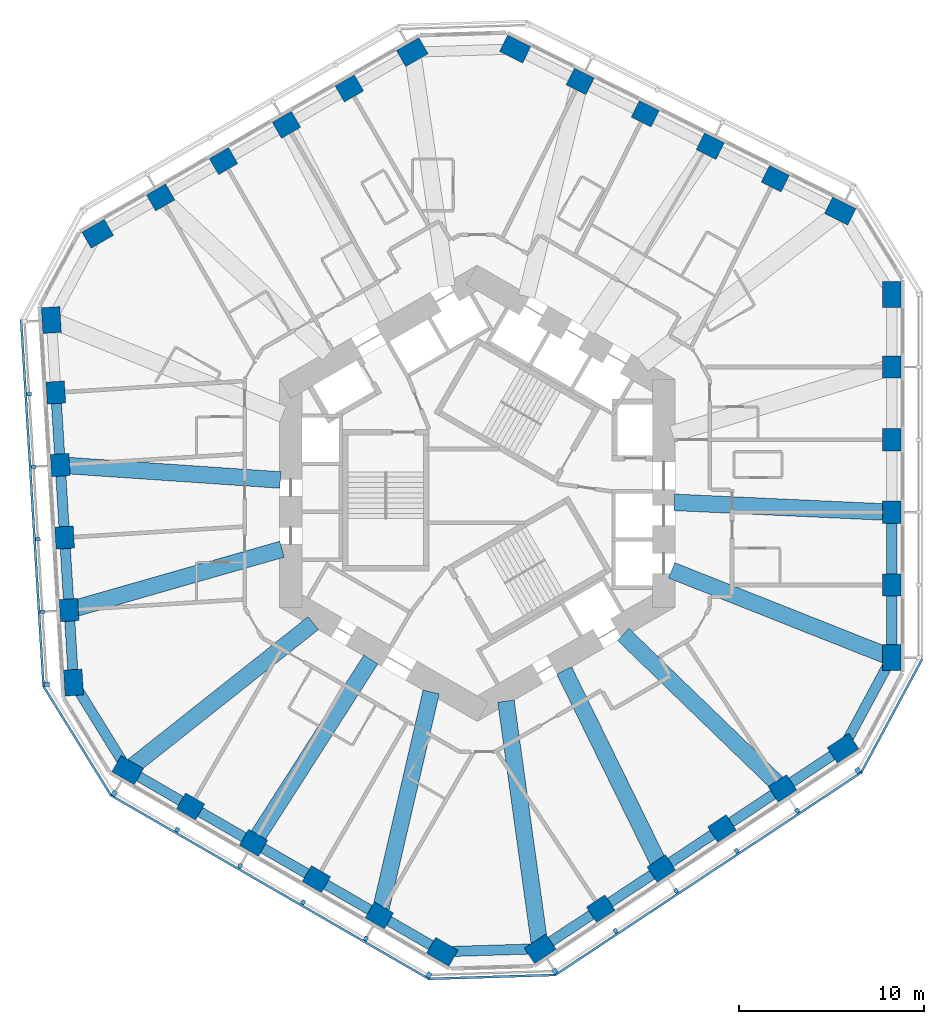
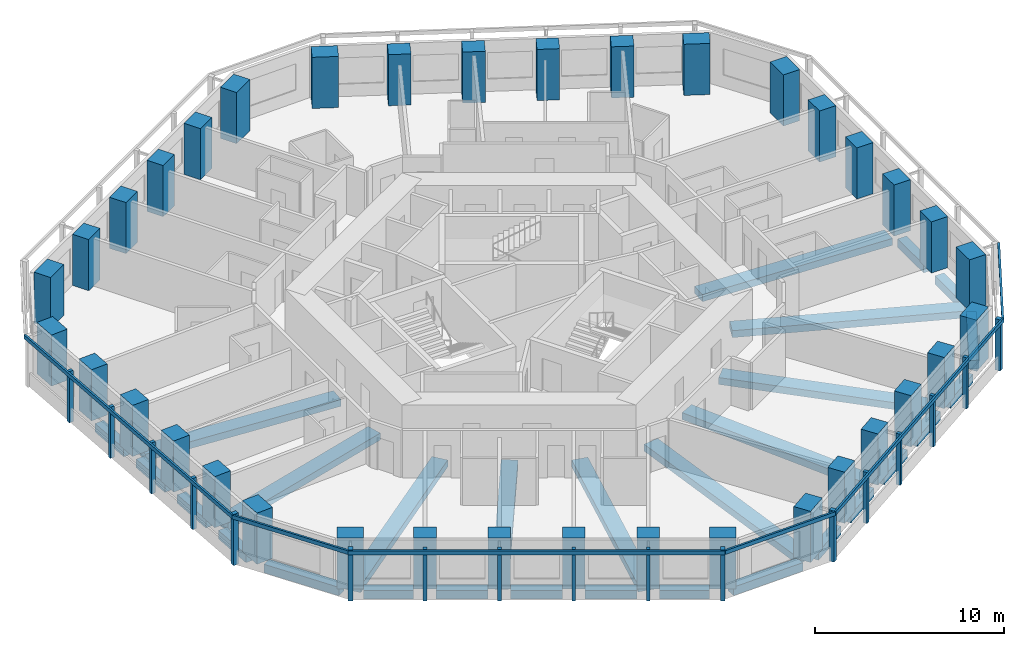
# One storey, part 1 of 12: 36 columns, 29 beams, 23 members, 6 elements without a shape of their own.
"""IFC4 building model written with IfcOpenShell, lengths in metres."""

from ifc_helpers import new_model, si_unit, direction, frame, origin, origin_2d, place, context, subcontext, project, spatial, rectangle, extrude, material, material_profile, profile_set, type_object, element, aggregate, save


model = new_model("IFC4")

# Units and contexts
model_context = context("Model", 3, precision=1e-05, world=origin(), true_north=direction((0.0, 1.0)))
body_context = subcontext(model_context, "Body", "Model", "MODEL_VIEW")
ifc_project = project(units=[si_unit("LENGTHUNIT", "METRE"), si_unit("AREAUNIT", "SQUARE_METRE"), si_unit("VOLUMEUNIT", "CUBIC_METRE"), si_unit("PLANEANGLEUNIT", "RADIAN"), si_unit("MASSUNIT", "GRAM", prefix="KILO")], contexts=[model_context])

# Site, building, storey
site_placement = place(None, origin())
site = spatial("IfcSite", under=ifc_project, at=site_placement, CompositionType="ELEMENT")
building_placement = place(site_placement, origin())
building = spatial("IfcBuilding", under=site, at=building_placement, Name="Vanh Sen Convention Tower", CompositionType="ELEMENT")
storey_placement = place(building_placement, frame((0.0, 0.0, 90.199951171875)))
storey = spatial("IfcBuildingStorey", under=building, at=storey_placement, Name="L20", CompositionType="ELEMENT", Elevation=90.199951171875)

# Columns
ifc_material_1 = material(Name="Concrete C80/95", Category="concrete")
ifc_material_profile_1 = material_profile(ifc_material_1, rectangle(XDim=1.199951171875, YDim=1.0, at=origin_2d()), Name="RC 1200X1000")
ifc_profile_set_1 = profile_set([ifc_material_profile_1], Name="Concrete C80/95")
column_type_1 = type_object("IfcColumnType", Name="Facade column 1200 x 1000 C80/95", PredefinedType="COLUMN", material=ifc_profile_set_1)
for number, where, z_axis, x_axis, name in (
    (1, (22.449951171875, -4.964599609375, 0.0), (0.0, 0.0, 1.0), (0.0, 1.0, 0.0), "Facade column 02 L20"),
    (2, (22.449951171875, -1.030029296875, 0.0), (0.0, 0.0, 1.0), (0.0, 1.0, 0.0), "Facade column 03 L20"),
    (3, (22.449951171875, 2.904541015625, 0.0), (0.0, 0.0, 1.0), (0.0, 1.0, 0.0), "Facade column 04 L20"),
    (4, (22.449951171875, 6.839111328125, 0.0), (0.0, 0.0, 1.0), (0.0, 1.0, 0.0), "Facade column 05 L20"),
    (5, (16.1376953125, 17.039794921875, 0.0), (0.0, 0.0, 1.0), (-0.894934361602, 0.44619781311, 0.0), "Facade column 08 L20"),
    (6, (12.616455078125, 18.79541015625, 0.0), (0.0, 0.0, 1.0), (-0.894934361602, 0.44619781311, 0.0), "Facade column 09 L20"),
    (7, (9.09521484375, 20.55078125, 0.0), (0.0, 0.0, 1.0), (-0.894934361602, 0.44619781311, 0.0), "Facade column 10 L20"),
    (8, (5.57421875, 22.306396484375, 0.0), (0.0, 0.0, 1.0), (-0.894934361602, 0.44619781311, 0.0), "Facade column 11 L20"),
    (9, (-6.925537109375, 21.924560546875, 0.0), (0.0, 0.0, 1.0), (-0.866025403784, -0.5, 0.0), "Facade column 14 L20"),
    (10, (-10.3330078125, 19.957275390625, 0.0), (0.0, 0.0, 1.0), (-0.866025403784, -0.5, 0.0), "Facade column 15 L20"),
    (11, (-13.740478515625, 17.989990234375, 0.0), (0.0, 0.0, 1.0), (-0.866025403784, -0.5, 0.0), "Facade column 16 L20"),
    (12, (-17.14794921875, 16.022705078125, 0.0), (0.0, 0.0, 1.0), (-0.866025403784, -0.5, 0.0), "Facade column 17 L20"),
    (13, (-22.82568359375, 5.455810546875, 0.0), (0.0, 0.0, 1.0), (0.061048539535, -0.998134798422, 0.0), "Facade column 20 L20"),
    (14, (-22.58544921875, 1.528564453125, 0.0), (0.0, 0.0, 1.0), (0.061048539535, -0.998134798422, 0.0), "Facade column 21 L20"),
    (15, (-22.34521484375, -2.398681640625, 0.0), (0.0, 0.0, 1.0), (0.061048539535, -0.998134798422, 0.0), "Facade column 22 L20"),
    (16, (-22.10498046875, -6.325927734375, 0.0), (0.0, 0.0, 1.0), (0.061048539535, -0.998134798422, 0.0), "Facade column 23 L20"),
    (17, (-15.5244140625, -16.9599609375, 0.0), (0.0, 0.0, 1.0), (0.866025403784, -0.5, 0.0), "Facade column 26 L20"),
    (18, (-12.1171875, -18.92724609375, 0.0), (0.0, 0.0, 1.0), (0.866025403784, -0.5, 0.0), "Facade column 27 L20"),
    (19, (-8.709716796875, -20.89453125, 0.0), (0.0, 0.0, 1.0), (0.866025403784, -0.5, 0.0), "Facade column 28 L20"),
    (20, (-5.302001953125, -22.86181640625, 0.0), (0.0, 0.0, 1.0), (0.866025403784, -0.5, 0.0), "Facade column 29 L20"),
    (21, (6.68798828125, -22.49560546875, 0.0), (0.0, 0.0, 1.0), (0.833885822067, 0.551936985312, 0.0), "Facade column 32 L20"),
    (22, (9.968994140625, -20.323974609375, 0.0), (0.0, 0.0, 1.0), (0.833885822067, 0.551936985312, 0.0), "Facade column 33 L20"),
    (23, (13.25, -18.152099609375, 0.0), (0.0, 0.0, 1.0), (0.833885822067, 0.551936985312, 0.0), "Facade column 34 L20"),
    (24, (16.531005859375, -15.980712890625, 0.0), (0.0, 0.0, 1.0), (0.833885822067, 0.551936985312, 0.0), "Facade column 35 L20"),
):
    element("IfcColumn", number, at=place(storey_placement, frame(where, z_axis=z_axis, x_axis=x_axis)), inside=storey, type_object=column_type_1, Name=name, PredefinedType="COLUMN", context=body_context, shape_type="SweptSolid", body=[
        extrude(rectangle(XDim=1.199951171875, YDim=1.0, at=origin_2d()), origin(), (0.0, 0.0, 1.0), 3.300048828125),
    ])
ifc_material_profile_2 = material_profile(ifc_material_1, rectangle(XDim=1.39990234375, YDim=1.0, at=origin_2d()), Name="RC 1400X1000")
ifc_profile_set_2 = profile_set([ifc_material_profile_2], Name="Concrete C80/95")
column_type_2 = type_object("IfcColumnType", Name="Facade corner column 1400 x 1000 C80/95", PredefinedType="COLUMN", material=ifc_profile_set_2)
for number, where, z_axis, x_axis, name in (
    (25, (22.449951171875, -8.899169921875, 0.0), (0.0, 0.0, 1.0), (0.0, 1.0, 0.0), "Facade column 01 L20"),
    (26, (22.449951171875, 10.773681640625, 0.0), (0.0, 0.0, 1.0), (0.0, 1.0, 0.0), "Facade column 06 L20"),
    (27, (19.658935546875, 15.2841796875, 0.0), (0.0, 0.0, 1.0), (-0.894934361602, 0.44619781311, 0.0), "Facade column 07 L20"),
    (28, (2.052978515625, 24.06201171875, 0.0), (0.0, 0.0, 1.0), (-0.894934361602, 0.44619781311, 0.0), "Facade column 12 L20"),
    (29, (-3.51806640625, 23.891845703125, 0.0), (0.0, 0.0, 1.0), (-0.866025403784, -0.5, 0.0), "Facade column 13 L20"),
    (30, (-20.555419921875, 14.055419921875, 0.0), (0.0, 0.0, 1.0), (-0.866025403784, -0.5, 0.0), "Facade column 18 L20"),
    (31, (-23.06591796875, 9.383056640625, 0.0), (0.0, 0.0, 1.0), (0.061048539535, -0.998134798422, 0.0), "Facade column 19 L20"),
    (32, (-21.86474609375, -10.253173828125, 0.0), (0.0, 0.0, 1.0), (0.061048539535, -0.998134798422, 0.0), "Facade column 24 L20"),
    (33, (-18.931884765625, -14.99267578125, 0.0), (0.0, 0.0, 1.0), (0.866025403784, -0.5, 0.0), "Facade column 25 L20"),
    (34, (-1.894775390625, -24.8291015625, 0.0), (0.0, 0.0, 1.0), (0.866025403784, -0.5, 0.0), "Facade column 30 L20"),
    (35, (3.406982421875, -24.6669921875, 0.0), (0.0, 0.0, 1.0), (0.833885822067, 0.551936985312, 0.0), "Facade column 31 L20"),
    (36, (19.81201171875, -13.808837890625, 0.0), (0.0, 0.0, 1.0), (0.833885822067, 0.551936985312, 0.0), "Facade column 36 L20"),
):
    element("IfcColumn", number, at=place(storey_placement, frame(where, z_axis=z_axis, x_axis=x_axis)), inside=storey, type_object=column_type_2, Name=name, PredefinedType="COLUMN", context=body_context, shape_type="SweptSolid", body=[
        extrude(rectangle(XDim=1.39990234375, YDim=1.0, at=origin_2d()), origin(), (0.0, 0.0, 1.0), 3.300048828125),
    ])

# Curtain wall, member
ifc_material_2 = material(Name="Concrete C50/60", Category="concrete")
curtain_wall_type = type_object("IfcCurtainWallType", Name="Outer skin hotel zone", PredefinedType="NOTDEFINED", material=ifc_material_2)
curtain_wall_1_placement = place(storey_placement, origin())
curtain_wall_1 = element("IfcCurtainWall", 37, at=curtain_wall_1_placement, inside=storey, type_object=curtain_wall_type, Name="OUTER SKIN W L20", PredefinedType="NOTDEFINED")
ifc_material_profile_3 = material_profile(ifc_material_2, rectangle(XDim=0.25, YDim=0.300048828125, at=origin_2d()), Name="Outer skin precast corner fin 250 x 300")
ifc_profile_set_3 = profile_set([ifc_material_profile_3], Name="Concrete C50/60")
member_type_1 = type_object("IfcMemberType", Name="Outer skin precast corner fin 250 x 300", PredefinedType="MULLION", material=ifc_profile_set_3)
member_1_placement = place(storey_placement, frame((-23.31201171875, -10.341796875, 0.0), z_axis=(0.0, 0.0, 1.0), x_axis=(0.061048539535, -0.998134798422, 0.0)))
member_1 = element("IfcMember", 38, at=member_1_placement, type_object=member_type_1, Name="OUTER SKIN CORNER FIN 6 W L20", PredefinedType="MULLION", context=body_context, shape_type="SweptSolid", body=[
    extrude(rectangle(XDim=0.25, YDim=0.300048828125, at=origin_2d()), origin(), (0.0, 0.0, 1.0), 3.300048828125),
])

# Curtain wall, members
curtain_wall_2_placement = place(storey_placement, origin())
curtain_wall_2 = element("IfcCurtainWall", 39, at=curtain_wall_2_placement, inside=storey, type_object=curtain_wall_type, Name="OUTER SKIN SW L20", PredefinedType="NOTDEFINED")
member_2_placement = place(storey_placement, frame((-19.656982421875, -16.248291015625, 0.0), z_axis=(0.0, 0.0, 1.0), x_axis=(0.866025403784, -0.5, 0.0)))
member_2 = element("IfcMember", 40, at=member_2_placement, type_object=member_type_1, Name="OUTER SKIN CORNER FIN 1 SW L20", PredefinedType="MULLION", context=body_context, shape_type="SweptSolid", body=[
    extrude(rectangle(XDim=0.25, YDim=0.300048828125, at=origin_2d()), origin(), (0.0, 0.0, 1.0), 3.300048828125),
])
member_3_placement = place(storey_placement, frame((-2.61962890625, -26.084716796875, 0.0), z_axis=(0.0, 0.0, 1.0), x_axis=(0.866025403784, -0.5, 0.0)))
member_3 = element("IfcMember", 41, at=member_3_placement, type_object=member_type_1, Name="OUTER SKIN CORNER FIN 6 SW L20", PredefinedType="MULLION", context=body_context, shape_type="SweptSolid", body=[
    extrude(rectangle(XDim=0.25, YDim=0.300048828125, at=origin_2d()), origin(), (0.0, 0.0, 1.0), 3.300048828125),
])

curtain_wall_3_placement = place(storey_placement, origin())
curtain_wall_3 = element("IfcCurtainWall", 42, at=curtain_wall_3_placement, inside=storey, type_object=curtain_wall_type, Name="OUTER SKIN SE L20", PredefinedType="NOTDEFINED")
member_4_placement = place(storey_placement, frame((4.207275390625, -25.876220703125, 0.0), z_axis=(0.0, 0.0, 1.0), x_axis=(0.833885822067, 0.551936985312, 0.0)))
member_4 = element("IfcMember", 43, at=member_4_placement, type_object=member_type_1, Name="OUTER SKIN CORNER FIN 1 SE L20", PredefinedType="MULLION", context=body_context, shape_type="SweptSolid", body=[
    extrude(rectangle(XDim=0.25, YDim=0.300048828125, at=origin_2d()), origin(), (0.0, 0.0, 1.0), 3.300048828125),
])
member_5_placement = place(storey_placement, frame((20.6123046875, -15.01806640625, 0.0), z_axis=(0.0, 0.0, 1.0), x_axis=(0.833885822067, 0.551936985312, 0.0)))
member_5 = element("IfcMember", 44, at=member_5_placement, type_object=member_type_1, Name="OUTER SKIN CORNER FIN 6 SE L20", PredefinedType="MULLION", context=body_context, shape_type="SweptSolid", body=[
    extrude(rectangle(XDim=0.25, YDim=0.300048828125, at=origin_2d()), origin(), (0.0, 0.0, 1.0), 3.300048828125),
])

# Member
ifc_material_profile_4 = material_profile(ifc_material_2, rectangle(XDim=0.199951171875, YDim=0.25, at=origin_2d()), Name="Outer skin precast fin 200 x 250")
ifc_profile_set_4 = profile_set([ifc_material_profile_4], Name="Concrete C50/60")
member_type_2 = type_object("IfcMemberType", Name="Outer skin precast fin 200 x 250", PredefinedType="MULLION", material=ifc_profile_set_4)
member_6_placement = place(storey_placement, frame((-24.27294921875, 5.3671875, 0.0), z_axis=(0.0, 0.0, 1.0), x_axis=(0.061048539535, -0.998134798422, 0.0)))
member_6 = element("IfcMember", 45, at=member_6_placement, type_object=member_type_2, Name="OUTER SKIN fin 2 W L20", PredefinedType="MULLION", context=body_context, shape_type="SweptSolid", body=[
    extrude(rectangle(XDim=0.199951171875, YDim=0.25, at=origin_2d()), origin(), (0.0, 0.0, 1.0), 3.300048828125),
])

member_7_placement = place(storey_placement, frame((-24.03271484375, 1.440185546875, 0.0), z_axis=(0.0, 0.0, 1.0), x_axis=(0.061048539535, -0.998134798422, 0.0)))
member_7 = element("IfcMember", 46, at=member_7_placement, type_object=member_type_2, Name="OUTER SKIN fin 3 W L20", PredefinedType="MULLION", context=body_context, shape_type="SweptSolid", body=[
    extrude(rectangle(XDim=0.199951171875, YDim=0.25, at=origin_2d()), origin(), (0.0, 0.0, 1.0), 3.300048828125),
])

member_8_placement = place(storey_placement, frame((-23.79248046875, -2.4873046875, 0.0), z_axis=(0.0, 0.0, 1.0), x_axis=(0.061048539535, -0.998134798422, 0.0)))
member_8 = element("IfcMember", 47, at=member_8_placement, type_object=member_type_2, Name="OUTER SKIN fin 4 W L20", PredefinedType="MULLION", context=body_context, shape_type="SweptSolid", body=[
    extrude(rectangle(XDim=0.199951171875, YDim=0.25, at=origin_2d()), origin(), (0.0, 0.0, 1.0), 3.300048828125),
])

member_9_placement = place(storey_placement, frame((-23.55224609375, -6.414306640625, 0.0), z_axis=(0.0, 0.0, 1.0), x_axis=(0.061048539535, -0.998134798422, 0.0)))
member_9 = element("IfcMember", 48, at=member_9_placement, type_object=member_type_2, Name="OUTER SKIN fin 5 W L20", PredefinedType="MULLION", context=body_context, shape_type="SweptSolid", body=[
    extrude(rectangle(XDim=0.199951171875, YDim=0.25, at=origin_2d()), origin(), (0.0, 0.0, 1.0), 3.300048828125),
])

member_10_placement = place(storey_placement, frame((-16.24951171875, -18.2158203125, 0.0), z_axis=(0.0, 0.0, 1.0), x_axis=(0.866025403784, -0.5, 0.0)))
member_10 = element("IfcMember", 49, at=member_10_placement, type_object=member_type_2, Name="OUTER SKIN fin 2 SW L20", PredefinedType="MULLION", context=body_context, shape_type="SweptSolid", body=[
    extrude(rectangle(XDim=0.199951171875, YDim=0.25, at=origin_2d()), origin(), (0.0, 0.0, 1.0), 3.300048828125),
])

member_11_placement = place(storey_placement, frame((-12.842041015625, -20.182861328125, 0.0), z_axis=(0.0, 0.0, 1.0), x_axis=(0.866025403784, -0.5, 0.0)))
member_11 = element("IfcMember", 50, at=member_11_placement, type_object=member_type_2, Name="OUTER SKIN fin 3 SW L20", PredefinedType="MULLION", context=body_context, shape_type="SweptSolid", body=[
    extrude(rectangle(XDim=0.199951171875, YDim=0.25, at=origin_2d()), origin(), (0.0, 0.0, 1.0), 3.300048828125),
])

member_12_placement = place(storey_placement, frame((-9.4345703125, -22.150146484375, 0.0), z_axis=(0.0, 0.0, 1.0), x_axis=(0.866025403784, -0.5, 0.0)))
member_12 = element("IfcMember", 51, at=member_12_placement, type_object=member_type_2, Name="OUTER SKIN fin 4 SW L20", PredefinedType="MULLION", context=body_context, shape_type="SweptSolid", body=[
    extrude(rectangle(XDim=0.199951171875, YDim=0.25, at=origin_2d()), origin(), (0.0, 0.0, 1.0), 3.300048828125),
])

member_13_placement = place(storey_placement, frame((-6.027099609375, -24.117431640625, 0.0), z_axis=(0.0, 0.0, 1.0), x_axis=(0.866025403784, -0.5, 0.0)))
member_13 = element("IfcMember", 52, at=member_13_placement, type_object=member_type_2, Name="OUTER SKIN fin 5 SW L20", PredefinedType="MULLION", context=body_context, shape_type="SweptSolid", body=[
    extrude(rectangle(XDim=0.199951171875, YDim=0.25, at=origin_2d()), origin(), (0.0, 0.0, 1.0), 3.300048828125),
])

member_14_placement = place(storey_placement, frame((7.48828125, -23.70458984375, 0.0), z_axis=(0.0, 0.0, 1.0), x_axis=(0.833885822067, 0.551936985312, 0.0)))
member_14 = element("IfcMember", 53, at=member_14_placement, type_object=member_type_2, Name="OUTER SKIN fin 2 SE L20", PredefinedType="MULLION", context=body_context, shape_type="SweptSolid", body=[
    extrude(rectangle(XDim=0.199951171875, YDim=0.25, at=origin_2d()), origin(), (0.0, 0.0, 1.0), 3.300048828125),
])

member_15_placement = place(storey_placement, frame((10.769287109375, -21.532958984375, 0.0), z_axis=(0.0, 0.0, 1.0), x_axis=(0.833885822067, 0.551936985312, 0.0)))
member_15 = element("IfcMember", 54, at=member_15_placement, type_object=member_type_2, Name="OUTER SKIN fin 3 SE L20", PredefinedType="MULLION", context=body_context, shape_type="SweptSolid", body=[
    extrude(rectangle(XDim=0.199951171875, YDim=0.25, at=origin_2d()), origin(), (0.0, 0.0, 1.0), 3.300048828125),
])

member_16_placement = place(storey_placement, frame((14.05029296875, -19.361328125, 0.0), z_axis=(0.0, 0.0, 1.0), x_axis=(0.833885822067, 0.551936985312, 0.0)))
member_16 = element("IfcMember", 55, at=member_16_placement, type_object=member_type_2, Name="OUTER SKIN fin 4 SE L20", PredefinedType="MULLION", context=body_context, shape_type="SweptSolid", body=[
    extrude(rectangle(XDim=0.199951171875, YDim=0.25, at=origin_2d()), origin(), (0.0, 0.0, 1.0), 3.300048828125),
])

member_17_placement = place(storey_placement, frame((17.331298828125, -17.189697265625, 0.0), z_axis=(0.0, 0.0, 1.0), x_axis=(0.833885822067, 0.551936985312, 0.0)))
member_17 = element("IfcMember", 56, at=member_17_placement, type_object=member_type_2, Name="OUTER SKIN fin 5 SE L20", PredefinedType="MULLION", context=body_context, shape_type="SweptSolid", body=[
    extrude(rectangle(XDim=0.199951171875, YDim=0.25, at=origin_2d()), origin(), (0.0, 0.0, 1.0), 3.300048828125),
])

ifc_material_profile_5 = material_profile(ifc_material_2, rectangle(XDim=0.1201171875, YDim=0.25, at=origin_2d()), Name="Outer skin precast spandrel band 250 x 120")
ifc_profile_set_5 = profile_set([ifc_material_profile_5], Name="Concrete C50/60")
member_type_3 = type_object("IfcMemberType", Name="Outer skin precast spandrel band 250 x 120", PredefinedType="USERDEFINED", material=ifc_profile_set_5)
member_18_placement = place(storey_placement, frame((-24.705322265625, 9.408203125, 3.175048828125), z_axis=(0.061050017989, -0.998134707995, 0.0), x_axis=(0.998134707995, 0.061050017989, 0.0)))
member_18 = element("IfcMember", 57, at=member_18_placement, type_object=member_type_3, Name="OUTER SKIN spandrel band W L20", ObjectType="TRANSOM", PredefinedType="USERDEFINED", context=body_context, shape_type="SweptSolid", body=[
    extrude(rectangle(XDim=0.1201171875, YDim=0.25, at=origin_2d()), origin(), (0.0, 0.0, 1.0), 19.923095703125),
])

aggregate(curtain_wall_1, [member_6, member_7, member_8, member_9, member_1, member_18])

# Curtain wall, member
curtain_wall_4_placement = place(storey_placement, origin())
curtain_wall_4 = element("IfcCurtainWall", 58, at=curtain_wall_4_placement, inside=storey, type_object=curtain_wall_type, Name="OUTER SKIN CH4 L20", PredefinedType="NOTDEFINED")
member_19_placement = place(storey_placement, frame((-23.49072265625, -10.4521484375, 3.175048828125), z_axis=(0.526196095141, -0.850363257354, 0.0), x_axis=(0.850363257354, 0.526196095141, 0.0)))
member_19 = element("IfcMember", 59, at=member_19_placement, type_object=member_type_3, Name="OUTER SKIN spandrel band CH4 L20", ObjectType="TRANSOM", PredefinedType="USERDEFINED", context=body_context, shape_type="SweptSolid", body=[
    extrude(rectangle(XDim=0.1201171875, YDim=0.25, at=origin_2d()), origin(), (0.0, 0.0, 1.0), 6.946044921875),
])
aggregate(curtain_wall_4, [member_19])

# Member
member_20_placement = place(storey_placement, frame((-19.85791015625, -16.34619140625, 3.175048828125), z_axis=(0.866028047459, -0.499995420993, 0.0), x_axis=(0.499995420993, 0.866028047459, 0.0)))
member_20 = element("IfcMember", 60, at=member_20_placement, type_object=member_type_3, Name="OUTER SKIN spandrel band SW L20", ObjectType="TRANSOM", PredefinedType="USERDEFINED", context=body_context, shape_type="SweptSolid", body=[
    extrude(rectangle(XDim=0.1201171875, YDim=0.25, at=origin_2d()), origin(), (0.0, 0.0, 1.0), 19.923095703125),
])

aggregate(curtain_wall_2, [member_2, member_10, member_11, member_12, member_13, member_3, member_20])

# Curtain wall, member
curtain_wall_5_placement = place(storey_placement, origin())
curtain_wall_5 = element("IfcCurtainWall", 61, at=curtain_wall_5_placement, inside=storey, type_object=curtain_wall_type, Name="OUTER SKIN CH5 L20", PredefinedType="NOTDEFINED")
member_21_placement = place(storey_placement, frame((-2.61328125, -26.294677734375, 3.175048828125), z_axis=(0.99953396928, 0.030526124156, 0.0), x_axis=(-0.030526124156, 0.99953396928, 0.0)))
member_21 = element("IfcMember", 62, at=member_21_placement, type_object=member_type_3, Name="OUTER SKIN spandrel band CH5 L20", ObjectType="TRANSOM", PredefinedType="USERDEFINED", context=body_context, shape_type="SweptSolid", body=[
    extrude(rectangle(XDim=0.1201171875, YDim=0.25, at=origin_2d()), origin(), (0.0, 0.0, 1.0), 6.830078125),
])
aggregate(curtain_wall_5, [member_21])

# Member
member_22_placement = place(storey_placement, frame((4.205078125, -26.099609375, 3.175048828125), z_axis=(0.833883851182, 0.551939962984, 0.0), x_axis=(-0.551939962984, 0.833883851182, 0.0)))
member_22 = element("IfcMember", 63, at=member_22_placement, type_object=member_type_3, Name="OUTER SKIN spandrel band SE L20", ObjectType="TRANSOM", PredefinedType="USERDEFINED", context=body_context, shape_type="SweptSolid", body=[
    extrude(rectangle(XDim=0.1201171875, YDim=0.25, at=origin_2d()), origin(), (0.0, 0.0, 1.0), 19.923095703125),
])

aggregate(curtain_wall_3, [member_4, member_14, member_15, member_16, member_17, member_5, member_22])

# Curtain wall, member
curtain_wall_6_placement = place(storey_placement, origin())
curtain_wall_6 = element("IfcCurtainWall", 64, at=curtain_wall_6_placement, inside=storey, type_object=curtain_wall_type, Name="OUTER SKIN CH6 L20", PredefinedType="NOTDEFINED")
member_23_placement = place(storey_placement, frame((20.797119140625, -15.117431640625, 3.175048828125), z_axis=(0.473324148816, 0.880888330123, 0.0), x_axis=(-0.880888330123, 0.473324148816, 0.0)))
member_23 = element("IfcMember", 65, at=member_23_placement, type_object=member_type_3, Name="OUTER SKIN spandrel band CH6 L20", ObjectType="TRANSOM", PredefinedType="USERDEFINED", context=body_context, shape_type="SweptSolid", body=[
    extrude(rectangle(XDim=0.1201171875, YDim=0.25, at=origin_2d()), origin(), (0.0, 0.0, 1.0), 6.9462890625),
])
aggregate(curtain_wall_6, [member_23])

# Beams
ifc_material_3 = material(Name="Concrete C50/60", Category="concrete")
ifc_material_profile_6 = material_profile(ifc_material_3, rectangle(XDim=0.89990234375, YDim=0.449951171875, at=origin_2d()), Name="RC 900X450")
ifc_profile_set_6 = profile_set([ifc_material_profile_6], Name="Concrete C50/60")
beam_type_1 = type_object("IfcBeamType", Name="Radial floor beam 900 x 450", PredefinedType="BEAM", material=ifc_profile_set_6)
beam_1_placement = place(storey_placement, frame((22.12060546875, -8.7685546875, -0.474853515625), z_axis=(-0.929625441153, 0.368505819713, 0.0), x_axis=(-0.368505819713, -0.929625441153, 0.0)))
element("IfcBeam", 66, at=beam_1_placement, inside=storey, type_object=beam_type_1, Name="Radial beam 01 L20", PredefinedType="BEAM", context=body_context, shape_type="SweptSolid", body=[
    extrude(rectangle(XDim=0.89990234375, YDim=0.449951171875, at=origin_2d()), origin(), (0.0, 0.0, 1.0), 12.468505859375),
])
beam_2_placement = place(storey_placement, frame((21.9755859375, -1.00830078125, -0.474853515625), z_axis=(-0.998948959247, 0.045836413684, 0.0), x_axis=(-0.045836413684, -0.998948959247, 0.0)))
element("IfcBeam", 67, at=beam_2_placement, inside=storey, type_object=beam_type_1, Name="Radial beam 02 L20", PredefinedType="BEAM", context=body_context, shape_type="SweptSolid", body=[
    extrude(rectangle(XDim=0.89990234375, YDim=0.449951171875, at=origin_2d()), origin(), (0.0, 0.0, 1.0), 11.313232421875),
])
beam_3_placement = place(storey_placement, frame((-22.1455078125, 1.498779296875, -0.474853515625), z_axis=(0.997717146338, -0.067531443814, 0.0), x_axis=(0.067531443814, 0.997717146338, 0.0)))
element("IfcBeam", 68, at=beam_3_placement, inside=storey, type_object=beam_type_1, Name="Radial beam 11 L20", PredefinedType="BEAM", context=body_context, shape_type="SweptSolid", body=[
    extrude(rectangle(XDim=0.89990234375, YDim=0.449951171875, at=origin_2d()), origin(), (0.0, 0.0, 1.0), 11.50732421875),
])
beam_4_placement = place(storey_placement, frame((-21.713134765625, -6.2138671875, -0.474853515625), z_axis=(0.96140779783, 0.27512732738, 0.0), x_axis=(-0.27512732738, 0.96140779783, 0.0)))
element("IfcBeam", 69, at=beam_4_placement, inside=storey, type_object=beam_type_1, Name="Radial beam 12 L20", PredefinedType="BEAM", context=body_context, shape_type="SweptSolid", body=[
    extrude(rectangle(XDim=0.89990234375, YDim=0.449951171875, at=origin_2d()), origin(), (0.0, 0.0, 1.0), 11.589111328125),
])
beam_5_placement = place(storey_placement, frame((-18.654052734375, -14.772705078125, -0.474853515625), z_axis=(0.783950127039, 0.620823806177, 0.0), x_axis=(-0.620823806177, 0.783950127039, 0.0)))
element("IfcBeam", 70, at=beam_5_placement, inside=storey, type_object=beam_type_1, Name="Radial beam 13 L20", PredefinedType="BEAM", context=body_context, shape_type="SweptSolid", body=[
    extrude(rectangle(XDim=0.89990234375, YDim=0.449951171875, at=origin_2d()), origin(), (0.0, 0.0, 1.0), 12.468505859375),
])
beam_6_placement = place(storey_placement, frame((-11.861083984375, -18.52734375, -0.474853515625), z_axis=(0.539166370538, 0.842199278604, 0.0), x_axis=(-0.842199278604, 0.539166370538, 0.0)))
element("IfcBeam", 71, at=beam_6_placement, inside=storey, type_object=beam_type_1, Name="Radial beam 14 L20", PredefinedType="BEAM", context=body_context, shape_type="SweptSolid", body=[
    extrude(rectangle(XDim=0.89990234375, YDim=0.449951171875, at=origin_2d()), origin(), (0.0, 0.0, 1.0), 11.31298828125),
])
beam_7_placement = place(storey_placement, frame((-5.216064453125, -22.4912109375, -0.474853515625), z_axis=(0.225903026676, 0.974149794713, 0.0), x_axis=(-0.974149794713, 0.225903026676, 0.0)))
element("IfcBeam", 72, at=beam_7_placement, inside=storey, type_object=beam_type_1, Name="Radial beam 15 L20", PredefinedType="BEAM", context=body_context, shape_type="SweptSolid", body=[
    extrude(rectangle(XDim=0.89990234375, YDim=0.449951171875, at=origin_2d()), origin(), (0.0, 0.0, 1.0), 12.044677734375),
])
beam_8_placement = place(storey_placement, frame((3.361328125, -24.336669921875, -0.474853515625), z_axis=(-0.13682259219, 0.990595567457, 0.0), x_axis=(-0.990595567457, -0.13682259219, 0.0)))
element("IfcBeam", 73, at=beam_8_placement, inside=storey, type_object=beam_type_1, Name="Radial beam 16 L20", PredefinedType="BEAM", context=body_context, shape_type="SweptSolid", body=[
    extrude(rectangle(XDim=0.89990234375, YDim=0.449951171875, at=origin_2d()), origin(), (0.0, 0.0, 1.0), 13.204345703125),
])
beam_9_placement = place(storey_placement, frame((9.774658203125, -19.927978515625, -0.474853515625), z_axis=(-0.440368849839, 0.897816950214, 0.0), x_axis=(-0.897816950214, -0.440368849839, 0.0)))
element("IfcBeam", 74, at=beam_9_placement, inside=storey, type_object=beam_type_1, Name="Radial beam 17 L20", PredefinedType="BEAM", context=body_context, shape_type="SweptSolid", body=[
    extrude(rectangle(XDim=0.89990234375, YDim=0.449951171875, at=origin_2d()), origin(), (0.0, 0.0, 1.0), 11.507080078125),
])
beam_10_placement = place(storey_placement, frame((16.23779296875, -15.697265625, -0.474853515625), z_axis=(-0.71897118158, 0.69503988379, 0.0), x_axis=(-0.69503988379, -0.71897118158, 0.0)))
element("IfcBeam", 75, at=beam_10_placement, inside=storey, type_object=beam_type_1, Name="Radial beam 18 L20", PredefinedType="BEAM", context=body_context, shape_type="SweptSolid", body=[
    extrude(rectangle(XDim=0.89990234375, YDim=0.449951171875, at=origin_2d()), origin(), (0.0, 0.0, 1.0), 11.589111328125),
])
ifc_material_profile_7 = material_profile(ifc_material_3, rectangle(XDim=0.550048828125, YDim=0.550048828125, at=origin_2d()), Name="RC 550X550")
ifc_profile_set_7 = profile_set([ifc_material_profile_7], Name="Concrete C50/60")
beam_type_2 = type_object("IfcBeamType", Name="Spandrel beam 550 x 550", PredefinedType="SPANDREL", material=ifc_profile_set_7)
beam_11_placement = place(storey_placement, frame((22.449951171875, -8.2041015625, -0.52490234375), z_axis=(0.0, 1.0, 0.0), x_axis=(-1.0, 0.0, 0.0)))
element("IfcBeam", 76, at=beam_11_placement, inside=storey, type_object=beam_type_2, Name="Spandrel beam 01 L20", PredefinedType="SPANDREL", context=body_context, shape_type="SweptSolid", body=[
    extrude(rectangle(XDim=0.550048828125, YDim=0.550048828125, at=origin_2d()), origin(), (0.0, 0.0, 1.0), 2.64453125),
])
beam_12_placement = place(storey_placement, frame((22.449951171875, -4.36962890625, -0.52490234375), z_axis=(0.0, 1.0, 0.0), x_axis=(-1.0, 0.0, 0.0)))
element("IfcBeam", 77, at=beam_12_placement, inside=storey, type_object=beam_type_2, Name="Spandrel beam 02 L20", PredefinedType="SPANDREL", context=body_context, shape_type="SweptSolid", body=[
    extrude(rectangle(XDim=0.550048828125, YDim=0.550048828125, at=origin_2d()), origin(), (0.0, 0.0, 1.0), 2.74462890625),
])
beam_13_placement = place(storey_placement, frame((-22.789306640625, 4.86181640625, -0.52490234375), z_axis=(0.061115489467, -0.998130701335, 0.0), x_axis=(0.998130701335, 0.061115489467, 0.0)))
element("IfcBeam", 78, at=beam_13_placement, inside=storey, type_object=beam_type_2, Name="Spandrel beam 20 L20", PredefinedType="SPANDREL", context=body_context, shape_type="SweptSolid", body=[
    extrude(rectangle(XDim=0.550048828125, YDim=0.550048828125, at=origin_2d()), origin(), (0.0, 0.0, 1.0), 2.744384765625),
])
beam_14_placement = place(storey_placement, frame((-22.549072265625, 0.934814453125, -0.52490234375), z_axis=(0.061021442686, -0.998136455367, 0.0), x_axis=(0.998136455367, 0.061021442686, 0.0)))
element("IfcBeam", 79, at=beam_14_placement, inside=storey, type_object=beam_type_2, Name="Spandrel beam 21 L20", PredefinedType="SPANDREL", context=body_context, shape_type="SweptSolid", body=[
    extrude(rectangle(XDim=0.550048828125, YDim=0.550048828125, at=origin_2d()), origin(), (0.0, 0.0, 1.0), 2.74462890625),
])
beam_15_placement = place(storey_placement, frame((-22.308837890625, -2.99267578125, -0.52490234375), z_axis=(0.061026861063, -0.998136124098, 0.0), x_axis=(0.998136124098, 0.061026861063, 0.0)))
element("IfcBeam", 80, at=beam_15_placement, inside=storey, type_object=beam_type_2, Name="Spandrel beam 22 L20", PredefinedType="SPANDREL", context=body_context, shape_type="SweptSolid", body=[
    extrude(rectangle(XDim=0.550048828125, YDim=0.550048828125, at=origin_2d()), origin(), (0.0, 0.0, 1.0), 2.744384765625),
])
beam_16_placement = place(storey_placement, frame((-22.068603515625, -6.919921875, -0.52490234375), z_axis=(0.061021844318, -0.998136430813, 0.0), x_axis=(0.998136430813, 0.061021844318, 0.0)))
element("IfcBeam", 81, at=beam_16_placement, inside=storey, type_object=beam_type_2, Name="Spandrel beam 23 L20", PredefinedType="SPANDREL", context=body_context, shape_type="SweptSolid", body=[
    extrude(rectangle(XDim=0.550048828125, YDim=0.550048828125, at=origin_2d()), origin(), (0.0, 0.0, 1.0), 2.64453125),
])
beam_17_placement = place(storey_placement, frame((-21.580810546875, -10.7119140625, -0.52490234375), z_axis=(0.526190044311, -0.850367001516, 0.0), x_axis=(0.850367001516, 0.526190044311, 0.0)))
element("IfcBeam", 82, at=beam_17_placement, inside=storey, type_object=beam_type_2, Name="Spandrel beam 24 L20", PredefinedType="SPANDREL", context=body_context, shape_type="SweptSolid", body=[
    extrude(rectangle(XDim=0.550048828125, YDim=0.550048828125, at=origin_2d()), origin(), (0.0, 0.0, 1.0), 4.49462890625),
])
beam_18_placement = place(storey_placement, frame((-18.330078125, -15.340087890625, -0.52490234375), z_axis=(0.865990340526, -0.500060726429, 0.0), x_axis=(0.500060726429, 0.865990340526, 0.0)))
element("IfcBeam", 83, at=beam_18_placement, inside=storey, type_object=beam_type_2, Name="Spandrel beam 25 L20", PredefinedType="SPANDREL", context=body_context, shape_type="SweptSolid", body=[
    extrude(rectangle(XDim=0.550048828125, YDim=0.550048828125, at=origin_2d()), origin(), (0.0, 0.0, 1.0), 2.644775390625),
])
for number, where, z_axis, x_axis, name in (
    (84, (-15.00927734375, -17.257568359375, -0.52490234375), (0.866067086513, -0.499927796446, 0.0), (0.499927796446, 0.866067086513, 0.0), "Spandrel beam 26 L20"),
    (85, (-11.601806640625, -19.224609375, -0.52490234375), (0.866028570666, -0.499994514761, 0.0), (0.499994514761, 0.866028570666, 0.0), "Spandrel beam 27 L20"),
    (86, (-8.1943359375, -21.19189453125, -0.52490234375), (0.866028570666, -0.499994514761, 0.0), (0.499994514761, 0.866028570666, 0.0), "Spandrel beam 28 L20"),
):
    element("IfcBeam", number, at=place(storey_placement, frame(where, z_axis=z_axis, x_axis=x_axis)), inside=storey, type_object=beam_type_2, Name=name, PredefinedType="SPANDREL", context=body_context, shape_type="SweptSolid", body=[
        extrude(rectangle(XDim=0.550048828125, YDim=0.550048828125, at=origin_2d()), origin(), (0.0, 0.0, 1.0), 2.74462890625),
    ])
beam_19_placement = place(storey_placement, frame((-4.786865234375, -23.1591796875, -0.52490234375), z_axis=(0.865990340526, -0.500060726429, 0.0), x_axis=(0.500060726429, 0.865990340526, 0.0)))
element("IfcBeam", 87, at=beam_19_placement, inside=storey, type_object=beam_type_2, Name="Spandrel beam 29 L20", PredefinedType="SPANDREL", context=body_context, shape_type="SweptSolid", body=[
    extrude(rectangle(XDim=0.550048828125, YDim=0.550048828125, at=origin_2d()), origin(), (0.0, 0.0, 1.0), 2.644775390625),
])
beam_20_placement = place(storey_placement, frame((-1.394287109375, -24.813720703125, -0.52490234375), z_axis=(0.999533914545, 0.030527916323, 0.0), x_axis=(-0.030527916323, 0.999533914545, 0.0)))
element("IfcBeam", 88, at=beam_20_placement, inside=storey, type_object=beam_type_2, Name="Spandrel beam 30 L20", PredefinedType="SPANDREL", context=body_context, shape_type="SweptSolid", body=[
    extrude(rectangle(XDim=0.550048828125, YDim=0.550048828125, at=origin_2d()), origin(), (0.0, 0.0, 1.0), 4.302490234375),
])
beam_21_placement = place(storey_placement, frame((3.986572265625, -24.283447265625, -0.52490234375), z_axis=(0.833892212548, 0.551927330227, 0.0), x_axis=(-0.551927330227, 0.833892212548, 0.0)))
element("IfcBeam", 89, at=beam_21_placement, inside=storey, type_object=beam_type_2, Name="Spandrel beam 31 L20", PredefinedType="SPANDREL", context=body_context, shape_type="SweptSolid", body=[
    extrude(rectangle(XDim=0.550048828125, YDim=0.550048828125, at=origin_2d()), origin(), (0.0, 0.0, 1.0), 2.644287109375),
])
beam_22_placement = place(storey_placement, frame((7.18408203125, -22.1669921875, -0.52490234375), z_axis=(0.833906917805, 0.551905111805, 0.0), x_axis=(-0.551905111805, 0.833906917805, 0.0)))
element("IfcBeam", 90, at=beam_22_placement, inside=storey, type_object=beam_type_2, Name="Spandrel beam 32 L20", PredefinedType="SPANDREL", context=body_context, shape_type="SweptSolid", body=[
    extrude(rectangle(XDim=0.550048828125, YDim=0.550048828125, at=origin_2d()), origin(), (0.0, 0.0, 1.0), 2.744384765625),
])
beam_23_placement = place(storey_placement, frame((10.465087890625, -19.99560546875, -0.52490234375), z_axis=(0.833865974996, 0.551966969794, 0.0), x_axis=(-0.551966969794, 0.833865974996, 0.0)))
element("IfcBeam", 91, at=beam_23_placement, inside=storey, type_object=beam_type_2, Name="Spandrel beam 33 L20", PredefinedType="SPANDREL", context=body_context, shape_type="SweptSolid", body=[
    extrude(rectangle(XDim=0.550048828125, YDim=0.550048828125, at=origin_2d()), origin(), (0.0, 0.0, 1.0), 2.74462890625),
])
beam_24_placement = place(storey_placement, frame((13.74609375, -17.82373046875, -0.52490234375), z_axis=(0.833906917805, 0.551905111805, 0.0), x_axis=(-0.551905111805, 0.833906917805, 0.0)))
element("IfcBeam", 92, at=beam_24_placement, inside=storey, type_object=beam_type_2, Name="Spandrel beam 34 L20", PredefinedType="SPANDREL", context=body_context, shape_type="SweptSolid", body=[
    extrude(rectangle(XDim=0.550048828125, YDim=0.550048828125, at=origin_2d()), origin(), (0.0, 0.0, 1.0), 2.744384765625),
])
beam_25_placement = place(storey_placement, frame((17.027099609375, -15.652099609375, -0.52490234375), z_axis=(0.833877845886, 0.551949035819, 0.0), x_axis=(-0.551949035819, 0.833877845886, 0.0)))
element("IfcBeam", 93, at=beam_25_placement, inside=storey, type_object=beam_type_2, Name="Spandrel beam 35 L20", PredefinedType="SPANDREL", context=body_context, shape_type="SweptSolid", body=[
    extrude(rectangle(XDim=0.550048828125, YDim=0.550048828125, at=origin_2d()), origin(), (0.0, 0.0, 1.0), 2.644775390625),
])
beam_26_placement = place(storey_placement, frame((20.0673828125, -13.33349609375, -0.52490234375), z_axis=(0.473312454828, 0.880894613507, 0.0), x_axis=(-0.880894613507, 0.473312454828, 0.0)))
element("IfcBeam", 94, at=beam_26_placement, inside=storey, type_object=beam_type_2, Name="Spandrel beam 36 L20", PredefinedType="SPANDREL", context=body_context, shape_type="SweptSolid", body=[
    extrude(rectangle(XDim=0.550048828125, YDim=0.550048828125, at=origin_2d()), origin(), (0.0, 0.0, 1.0), 4.494384765625),
])

save(model, "model.ifc")
